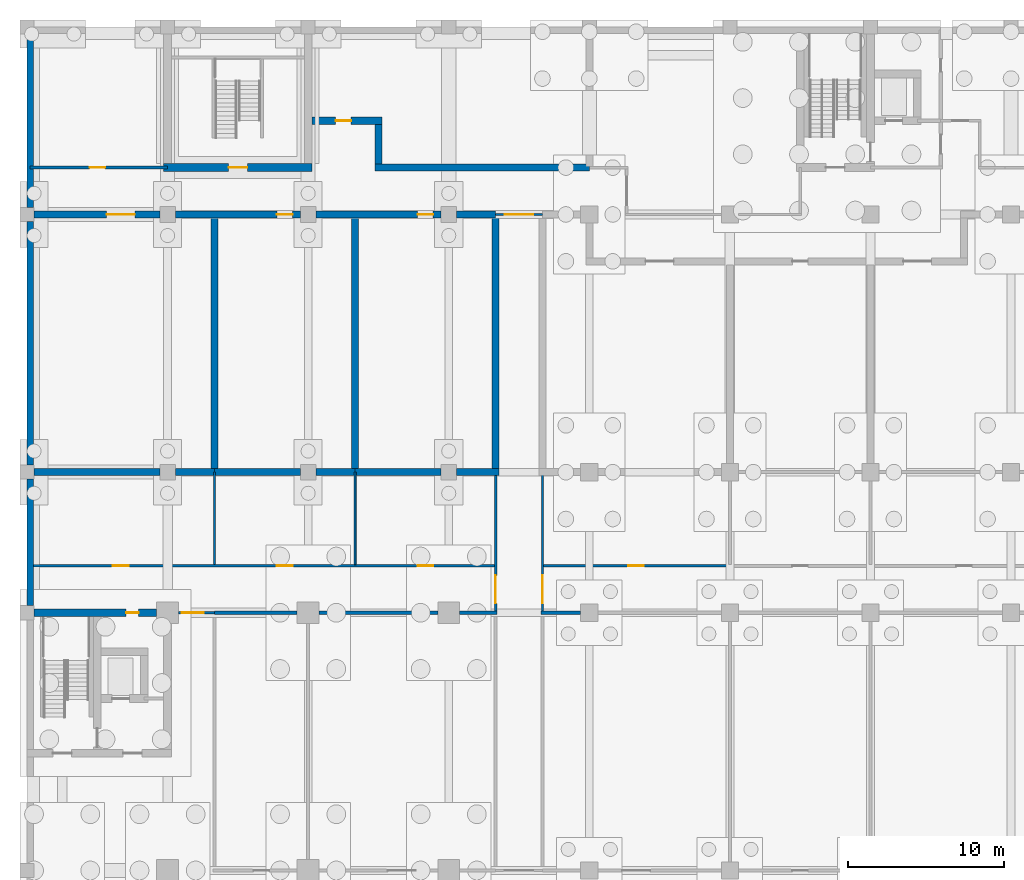
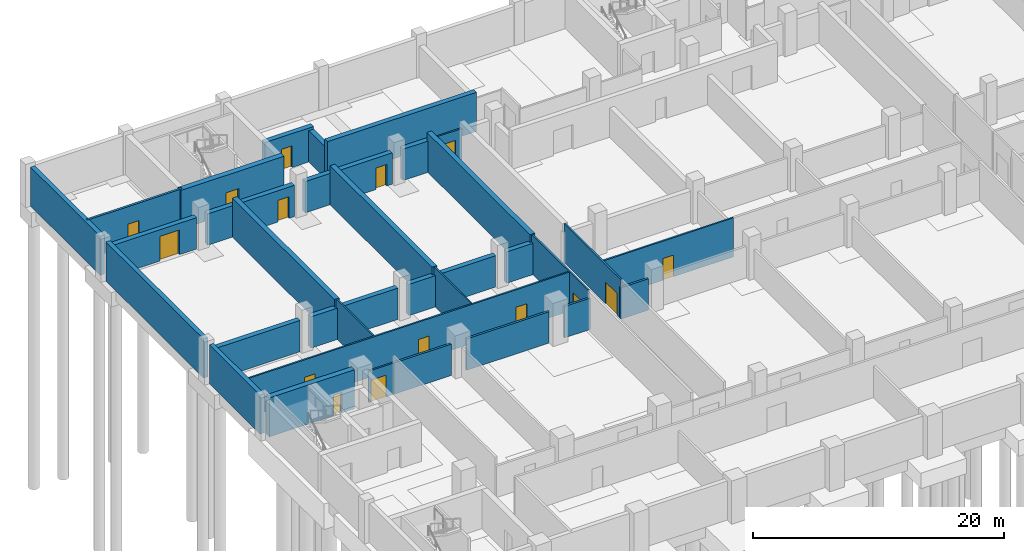
# One storey, part 6 of 15: 34 walls, 15 doors, 15 openings.
"""IFC4 building model written with IfcOpenShell, lengths in metres."""

from ifc_helpers import new_model, si_unit, direction, frame, frame_2d, origin, place, context, subcontext, project, spatial, rectangle, extrude, material, layer, layer_set, type_object, element, fill, save


model = new_model("IFC4")

# Units and contexts
model_context = context("Model", 3, precision=1e-05, world=origin(), true_north=direction((0.0, 1.0)))
body_context = subcontext(model_context, "Body", "Model", "MODEL_VIEW")
ifc_project = project(units=[si_unit("LENGTHUNIT", "METRE"), si_unit("AREAUNIT", "SQUARE_METRE"), si_unit("VOLUMEUNIT", "CUBIC_METRE"), si_unit("PLANEANGLEUNIT", "RADIAN"), si_unit("MASSUNIT", "GRAM", prefix="KILO")], contexts=[model_context])

# Site, building, storey
site_placement = place(None, origin())
site = spatial("IfcSite", under=ifc_project, at=site_placement, CompositionType="ELEMENT")
building_placement = place(site_placement, origin())
building = spatial("IfcBuilding", under=site, at=building_placement, Name="Aurelan Courthouse", CompositionType="ELEMENT")
storey_placement = place(building_placement, frame((0.0, 0.0, -8.39990234375)))
storey = spatial("IfcBuildingStorey", under=building, at=storey_placement, Name="B2", CompositionType="ELEMENT", Elevation=-8.39990234375)

# Walls
ifc_material_1 = material(Name="Reinforced concrete block", Category="concrete")
ifc_layer_1 = layer(ifc_material_1, 0.449951171875)
ifc_layer_set_1 = layer_set([ifc_layer_1], Name="Reinforced concrete block")
wall_type_1 = type_object("IfcWallType", Name="Archive fire wall 450 EI 60", PredefinedType="PARTITIONING", material=ifc_layer_set_1)
wall_1_placement = place(storey_placement, frame((0.449951171875, 37.5, 0.0), z_axis=(0.0, 0.0, 1.0), x_axis=(1.0, 0.0, 0.0)))
element("IfcWall", 1, at=wall_1_placement, inside=storey, type_object=wall_type_1, Name="Archive fire wall B2-033", PredefinedType="PARTITIONING", context=body_context, shape_type="SweptSolid", body=[
    extrude(rectangle(XDim=8.050048828125, YDim=0.449951171875, at=frame_2d((4.02490234375, 0.0))), origin(), (0.0, 0.0, 1.0), 3.0498046875),
])
wall_2_placement = place(storey_placement, frame((9.5, 37.5, 0.0), z_axis=(0.0, 0.0, 1.0), x_axis=(1.0, 0.0, 0.0)))
element("IfcWall", 2, at=wall_2_placement, inside=storey, type_object=wall_type_1, Name="Archive fire wall B2-034", PredefinedType="PARTITIONING", context=body_context, shape_type="SweptSolid", body=[
    extrude(rectangle(XDim=2.5, YDim=0.449951171875, at=frame_2d((1.25, 0.0))), origin(), (0.0, 0.0, 1.0), 3.0498046875),
])
wall_3_placement = place(storey_placement, frame((12.0, 37.5, 0.0), z_axis=(0.0, 0.0, 1.0), x_axis=(1.0, 0.0, 0.0)))
element("IfcWall", 3, at=wall_3_placement, inside=storey, type_object=wall_type_1, Name="Archive fire wall B2-035", PredefinedType="PARTITIONING", context=body_context, shape_type="SweptSolid", body=[
    extrude(rectangle(XDim=5.5, YDim=0.449951171875, at=frame_2d((2.75, 0.0))), origin(), (0.0, 0.0, 1.0), 3.0498046875),
])
wall_4_placement = place(storey_placement, frame((18.5, 37.5, 0.0), z_axis=(0.0, 0.0, 1.0), x_axis=(1.0, 0.0, 0.0)))
element("IfcWall", 4, at=wall_4_placement, inside=storey, type_object=wall_type_1, Name="Archive fire wall B2-036", PredefinedType="PARTITIONING", context=body_context, shape_type="SweptSolid", body=[
    extrude(rectangle(XDim=2.5, YDim=0.449951171875, at=frame_2d((1.25, 0.0))), origin(), (0.0, 0.0, 1.0), 3.0498046875),
])
wall_5_placement = place(storey_placement, frame((21.0, 37.5, 0.0), z_axis=(0.0, 0.0, 1.0), x_axis=(1.0, 0.0, 0.0)))
element("IfcWall", 5, at=wall_5_placement, inside=storey, type_object=wall_type_1, Name="Archive fire wall B2-037", PredefinedType="PARTITIONING", context=body_context, shape_type="SweptSolid", body=[
    extrude(rectangle(XDim=5.5, YDim=0.449951171875, at=frame_2d((2.75, 0.0))), origin(), (0.0, 0.0, 1.0), 3.0498046875),
])
wall_6_placement = place(storey_placement, frame((27.5, 37.5, 0.0), z_axis=(0.0, 0.0, 1.0), x_axis=(1.0, 0.0, 0.0)))
element("IfcWall", 6, at=wall_6_placement, inside=storey, type_object=wall_type_1, Name="Archive fire wall B2-038", PredefinedType="PARTITIONING", context=body_context, shape_type="SweptSolid", body=[
    extrude(rectangle(XDim=2.72509765625, YDim=0.449951171875, at=frame_2d((1.362548828125, 0.0))), origin(), (0.0, 0.0, 1.0), 3.0498046875),
])

# Wall, opening, door
wall_7_placement = place(storey_placement, frame((0.449951171875, 54.0, 0.0), z_axis=(0.0, 0.0, 1.0), x_axis=(1.0, 0.0, 0.0)))
wall_7 = element("IfcWall", 7, at=wall_7_placement, inside=storey, type_object=wall_type_1, Name="Archive fire wall B2-047", PredefinedType="PARTITIONING", context=body_context, shape_type="SweptSolid", body=[
    extrude(rectangle(XDim=8.050048828125, YDim=0.449951171875, at=frame_2d((4.02490234375, 0.0))), origin(), (0.0, 0.0, 1.0), 3.0498046875),
])
opening_1_placement = place(wall_7_placement, frame((6.449951171875, 0.0, 0.0), z_axis=(0.0, 0.0, 1.0), x_axis=(-1.0, 0.0, 0.0)))
opening_1 = element("IfcOpeningElement", 8, at=opening_1_placement, cuts=wall_7, Name="Opening D-B2-034", PredefinedType="OPENING", context=body_context, shape_type="SweptSolid", body=[
    extrude(rectangle(XDim=1.800048828125, YDim=2.39990234375, at=frame_2d((0.89990234375, 1.199951171875))), frame((0.0, 0.23486328125, 0.0), z_axis=(0.0, -1.0, 0.0), x_axis=(1.0, 0.0, 0.0)), (0.0, 0.0, 1.0), 0.469970703125),
])
ifc_material_2 = material(Name="Steel", Category="steel")
door_type_1 = type_object("IfcDoorType", Name="Double door 1800 x 2400 FD60", OperationType="DOUBLE_DOOR_SINGLE_SWING", PredefinedType="DOOR", material=ifc_material_2)
door_1_placement = place(opening_1_placement, origin())
door_1 = element("IfcDoor", 9, at=door_1_placement, inside=storey, type_object=door_type_1, Name="Double door D-B2-034", OperationType="DOUBLE_DOOR_SINGLE_SWING", OverallHeight=2.39990234375, OverallWidth=1.800048828125, PredefinedType="DOOR", context=body_context, shape_type="SweptSolid", body=[
    extrude(rectangle(XDim=1.800048828125, YDim=2.39990234375, at=frame_2d((0.89990234375, 1.199951171875))), frame((0.0, 0.02490234375, 0.0), z_axis=(0.0, -1.0, 0.0), x_axis=(1.0, 0.0, 0.0)), (0.0, 0.0, 1.0), 0.050048828125),
])
fill(opening_1, door_1)

wall_8_placement = place(storey_placement, frame((9.5, 54.0, 0.0), z_axis=(0.0, 0.0, 1.0), x_axis=(1.0, 0.0, 0.0)))
wall_8 = element("IfcWall", 10, at=wall_8_placement, inside=storey, type_object=wall_type_1, Name="Archive fire wall B2-048", PredefinedType="PARTITIONING", context=body_context, shape_type="SweptSolid", body=[
    extrude(rectangle(XDim=8.0, YDim=0.449951171875, at=frame_2d((4.0, 0.0))), origin(), (0.0, 0.0, 1.0), 3.0498046875),
])
opening_2_placement = place(wall_8_placement, frame((7.5, 0.0, 0.0), z_axis=(0.0, 0.0, 1.0), x_axis=(-1.0, 0.0, 0.0)))
opening_2 = element("IfcOpeningElement", 11, at=opening_2_placement, cuts=wall_8, Name="Opening D-B2-035", PredefinedType="OPENING", context=body_context, shape_type="SweptSolid", body=[
    extrude(rectangle(XDim=1.0, YDim=2.10009765625, at=frame_2d((0.5, 1.050048828125))), frame((0.0, 0.23486328125, 0.0), z_axis=(0.0, -1.0, 0.0), x_axis=(1.0, 0.0, 0.0)), (0.0, 0.0, 1.0), 0.469970703125),
])
door_type_2 = type_object("IfcDoorType", Name="Single door 1000 x 2100 FD60", OperationType="SINGLE_SWING_LEFT", PredefinedType="DOOR", material=ifc_material_2)
door_2_placement = place(opening_2_placement, origin())
door_2 = element("IfcDoor", 12, at=door_2_placement, inside=storey, type_object=door_type_2, Name="Single door D-B2-035", OperationType="SINGLE_SWING_LEFT", OverallHeight=2.10009765625, OverallWidth=1.0, PredefinedType="DOOR", context=body_context, shape_type="SweptSolid", body=[
    extrude(rectangle(XDim=1.0, YDim=2.10009765625, at=frame_2d((0.5, 1.050048828125))), frame((0.0, 0.02490234375, 0.0), z_axis=(0.0, -1.0, 0.0), x_axis=(1.0, 0.0, 0.0)), (0.0, 0.0, 1.0), 0.050048828125),
])
fill(opening_2, door_2)

wall_9_placement = place(storey_placement, frame((18.5, 54.0, 0.0), z_axis=(0.0, 0.0, 1.0), x_axis=(1.0, 0.0, 0.0)))
wall_9 = element("IfcWall", 13, at=wall_9_placement, inside=storey, type_object=wall_type_1, Name="Archive fire wall B2-049", PredefinedType="PARTITIONING", context=body_context, shape_type="SweptSolid", body=[
    extrude(rectangle(XDim=8.0, YDim=0.449951171875, at=frame_2d((4.0, 0.0))), origin(), (0.0, 0.0, 1.0), 3.0498046875),
])
opening_3_placement = place(wall_9_placement, frame((7.5, 0.0, 0.0), z_axis=(0.0, 0.0, 1.0), x_axis=(-1.0, 0.0, 0.0)))
opening_3 = element("IfcOpeningElement", 14, at=opening_3_placement, cuts=wall_9, Name="Opening D-B2-036", PredefinedType="OPENING", context=body_context, shape_type="SweptSolid", body=[
    extrude(rectangle(XDim=1.0, YDim=2.10009765625, at=frame_2d((0.5, 1.050048828125))), frame((0.0, 0.23486328125, 0.0), z_axis=(0.0, -1.0, 0.0), x_axis=(1.0, 0.0, 0.0)), (0.0, 0.0, 1.0), 0.469970703125),
])
door_3_placement = place(opening_3_placement, origin())
door_3 = element("IfcDoor", 15, at=door_3_placement, inside=storey, type_object=door_type_2, Name="Single door D-B2-036", OperationType="SINGLE_SWING_RIGHT", OverallHeight=2.10009765625, OverallWidth=1.0, PredefinedType="DOOR", context=body_context, shape_type="SweptSolid", body=[
    extrude(rectangle(XDim=1.0, YDim=2.10009765625, at=frame_2d((0.5, 1.050048828125))), frame((0.0, 0.02490234375, 0.0), z_axis=(0.0, -1.0, 0.0), x_axis=(1.0, 0.0, 0.0)), (0.0, 0.0, 1.0), 0.050048828125),
])
fill(opening_3, door_3)

# Walls
wall_10_placement = place(storey_placement, frame((27.5, 54.0, 0.0), z_axis=(0.0, 0.0, 1.0), x_axis=(1.0, 0.0, 0.0)))
element("IfcWall", 16, at=wall_10_placement, inside=storey, type_object=wall_type_1, Name="Archive fire wall B2-050", PredefinedType="PARTITIONING", context=body_context, shape_type="SweptSolid", body=[
    extrude(rectangle(XDim=2.5, YDim=0.449951171875, at=frame_2d((1.25, 0.0))), origin(), (0.0, 0.0, 1.0), 3.0498046875),
])
wall_11_placement = place(storey_placement, frame((22.27490234375, 57.0, 0.0), z_axis=(0.0, 0.0, 1.0), x_axis=(1.0, 0.0, 0.0)))
element("IfcWall", 17, at=wall_11_placement, inside=storey, type_object=wall_type_1, Name="Archive fire wall B2-062", PredefinedType="PARTITIONING", context=body_context, shape_type="SweptSolid", body=[
    extrude(rectangle(XDim=13.72509765625, YDim=0.449951171875, at=frame_2d((6.862548828125, 0.0))), origin(), (0.0, 0.0, 1.0), 3.7998046875),
])

# Wall, opening, door
wall_12_placement = place(storey_placement, frame((18.25, 60.0, 0.0), z_axis=(0.0, 0.0, 1.0), x_axis=(1.0, 0.0, 0.0)))
wall_12 = element("IfcWall", 18, at=wall_12_placement, inside=storey, type_object=wall_type_1, Name="Archive fire wall B2-068", PredefinedType="PARTITIONING", context=body_context, shape_type="SweptSolid", body=[
    extrude(rectangle(XDim=4.47509765625, YDim=0.449951171875, at=frame_2d((2.237548828125, 0.0))), origin(), (0.0, 0.0, 1.0), 3.2998046875),
])
opening_4_placement = place(wall_12_placement, frame((1.5, 0.0, 0.0)))
opening_4 = element("IfcOpeningElement", 19, at=opening_4_placement, cuts=wall_12, Name="Opening D-B2-024", PredefinedType="OPENING", context=body_context, shape_type="SweptSolid", body=[
    extrude(rectangle(XDim=1.0, YDim=2.10009765625, at=frame_2d((0.5, 1.050048828125))), frame((0.0, 0.23486328125, 0.0), z_axis=(0.0, -1.0, 0.0), x_axis=(1.0, 0.0, 0.0)), (0.0, 0.0, 1.0), 0.469970703125),
])
door_4_placement = place(opening_4_placement, origin())
door_4 = element("IfcDoor", 20, at=door_4_placement, inside=storey, type_object=door_type_2, Name="Single door D-B2-024", OperationType="SINGLE_SWING_LEFT", OverallHeight=2.10009765625, OverallWidth=1.0, PredefinedType="DOOR", context=body_context, shape_type="SweptSolid", body=[
    extrude(rectangle(XDim=1.0, YDim=2.10009765625, at=frame_2d((0.5, 1.050048828125))), frame((0.0, 0.02490234375, 0.0), z_axis=(0.0, -1.0, 0.0), x_axis=(1.0, 0.0, 0.0)), (0.0, 0.0, 1.0), 0.050048828125),
])
fill(opening_4, door_4)

# Walls
for number, where, z_axis, x_axis, name in (
    (21, (12.0, 37.5, 0.0), (0.0, 0.0, 1.0), (0.0, 1.0, 0.0), "Archive fire wall B2-074"),
    (22, (21.0, 37.5, 0.0), (0.0, 0.0, 1.0), (0.0, 1.0, 0.0), "Archive fire wall B2-077"),
):
    element("IfcWall", number, at=place(storey_placement, frame(where, z_axis=z_axis, x_axis=x_axis)), inside=storey, type_object=wall_type_1, Name=name, PredefinedType="PARTITIONING", context=body_context, shape_type="SweptSolid", body=[
        extrude(rectangle(XDim=16.27490234375, YDim=0.449951171875, at=frame_2d((8.137451171875, 0.0))), origin(), (0.0, 0.0, 1.0), 3.7998046875),
    ])
wall_13_placement = place(storey_placement, frame((22.5, 57.22509765625, 0.0), z_axis=(0.0, 0.0, 1.0), x_axis=(0.0, 1.0, 0.0)))
element("IfcWall", 23, at=wall_13_placement, inside=storey, type_object=wall_type_1, Name="Archive fire wall B2-078", PredefinedType="PARTITIONING", context=body_context, shape_type="SweptSolid", body=[
    extrude(rectangle(XDim=2.5498046875, YDim=0.449951171875, at=frame_2d((1.27490234375, 0.0))), origin(), (0.0, 0.0, 1.0), 3.0498046875),
])
wall_14_placement = place(storey_placement, frame((30.0, 37.5, 0.0), z_axis=(0.0, 0.0, 1.0), x_axis=(0.0, 1.0, 0.0)))
element("IfcWall", 24, at=wall_14_placement, inside=storey, type_object=wall_type_1, Name="Archive fire wall B2-082", PredefinedType="PARTITIONING", context=body_context, shape_type="SweptSolid", body=[
    extrude(rectangle(XDim=16.425048828125, YDim=0.449951171875, at=frame_2d((8.21240234375, 0.0))), origin(), (0.0, 0.0, 1.0), 3.7998046875),
])

# Wall, opening, door
ifc_material_3 = material(Name="Gypsum board on metal studs")
ifc_layer_2 = layer(ifc_material_3, 0.14990234375)
ifc_layer_set_2 = layer_set([ifc_layer_2], Name="Gypsum board on metal studs")
wall_type_2 = type_object("IfcWallType", Name="Corridor partition 150 EI 60", PredefinedType="PARTITIONING", material=ifc_layer_set_2)
wall_15_placement = place(storey_placement, frame((9.699951171875, 28.5, 0.0), z_axis=(0.0, 0.0, 1.0), x_axis=(1.0, 0.0, 0.0)))
wall_15 = element("IfcWall", 25, at=wall_15_placement, inside=storey, type_object=wall_type_2, Name="Corridor partition B2-016", PredefinedType="PARTITIONING", context=body_context, shape_type="SweptSolid", body=[
    extrude(rectangle(XDim=2.300048828125, YDim=0.14990234375, at=frame_2d((1.14990234375, 0.0))), origin(), (0.0, 0.0, 1.0), 3.0498046875),
])
opening_5_placement = place(wall_15_placement, frame((0.199951171875, 0.0, 0.0)))
opening_5 = element("IfcOpeningElement", 26, at=opening_5_placement, cuts=wall_15, Name="Opening D-B2-001", PredefinedType="OPENING", context=body_context, shape_type="SweptSolid", body=[
    extrude(rectangle(XDim=1.39990234375, YDim=2.10009765625, at=frame_2d((0.699951171875, 1.050048828125))), frame((0.0, 0.0849609375, 0.0), z_axis=(0.0, -1.0, 0.0), x_axis=(1.0, 0.0, 0.0)), (0.0, 0.0, 1.0), 0.169921875),
])
door_type_3 = type_object("IfcDoorType", Name="Double door 1400 x 2100 FD60", OperationType="DOUBLE_DOOR_SINGLE_SWING", PredefinedType="DOOR", material=ifc_material_2)
door_5_placement = place(opening_5_placement, origin())
door_5 = element("IfcDoor", 27, at=door_5_placement, inside=storey, type_object=door_type_3, Name="Double door D-B2-001", OperationType="DOUBLE_DOOR_SINGLE_SWING", OverallHeight=2.10009765625, OverallWidth=1.39990234375, PredefinedType="DOOR", context=body_context, shape_type="SweptSolid", body=[
    extrude(rectangle(XDim=1.39990234375, YDim=2.10009765625, at=frame_2d((0.699951171875, 1.050048828125))), frame((0.0, 0.02490234375, 0.0), z_axis=(0.0, -1.0, 0.0), x_axis=(1.0, 0.0, 0.0)), (0.0, 0.0, 1.0), 0.050048828125),
])
fill(opening_5, door_5)

# Wall, openings, doors
wall_16_placement = place(storey_placement, frame((0.199951171875, 31.5, 0.0), z_axis=(0.0, 0.0, 1.0), x_axis=(1.0, 0.0, 0.0)))
wall_16 = element("IfcWall", 28, at=wall_16_placement, inside=storey, type_object=wall_type_2, Name="Corridor partition B2-028", PredefinedType="PARTITIONING", context=body_context, shape_type="SweptSolid", body=[
    extrude(rectangle(XDim=29.72509765625, YDim=0.14990234375, at=frame_2d((14.862548828125, 0.0))), origin(), (0.0, 0.0, 1.0), 3.7998046875),
])
opening_6_placement = place(wall_16_placement, frame((5.300048828125, 0.0, 0.0)))
opening_6 = element("IfcOpeningElement", 29, at=opening_6_placement, cuts=wall_16, Name="Opening D-B2-021", PredefinedType="OPENING", context=body_context, shape_type="SweptSolid", body=[
    extrude(rectangle(XDim=1.0, YDim=2.10009765625, at=frame_2d((0.5, 1.050048828125))), frame((0.0, 0.0849609375, 0.0), z_axis=(0.0, -1.0, 0.0), x_axis=(1.0, 0.0, 0.0)), (0.0, 0.0, 1.0), 0.169921875),
])
opening_7_placement = place(wall_16_placement, frame((15.800048828125, 0.0, 0.0)))
opening_7 = element("IfcOpeningElement", 30, at=opening_7_placement, cuts=wall_16, Name="Opening D-B2-022", PredefinedType="OPENING", context=body_context, shape_type="SweptSolid", body=[
    extrude(rectangle(XDim=1.0, YDim=2.10009765625, at=frame_2d((0.5, 1.050048828125))), frame((0.0, 0.0849609375, 0.0), z_axis=(0.0, -1.0, 0.0), x_axis=(1.0, 0.0, 0.0)), (0.0, 0.0, 1.0), 0.169921875),
])
opening_8_placement = place(wall_16_placement, frame((24.800048828125, 0.0, 0.0)))
opening_8 = element("IfcOpeningElement", 31, at=opening_8_placement, cuts=wall_16, Name="Opening D-B2-023", PredefinedType="OPENING", context=body_context, shape_type="SweptSolid", body=[
    extrude(rectangle(XDim=1.0, YDim=2.10009765625, at=frame_2d((0.5, 1.050048828125))), frame((0.0, 0.0849609375, 0.0), z_axis=(0.0, -1.0, 0.0), x_axis=(1.0, 0.0, 0.0)), (0.0, 0.0, 1.0), 0.169921875),
])
door_6_placement = place(opening_6_placement, origin())
door_6 = element("IfcDoor", 32, at=door_6_placement, inside=storey, type_object=door_type_2, Name="Single door D-B2-021", OperationType="SINGLE_SWING_LEFT", OverallHeight=2.10009765625, OverallWidth=1.0, PredefinedType="DOOR", context=body_context, shape_type="SweptSolid", body=[
    extrude(rectangle(XDim=1.0, YDim=2.10009765625, at=frame_2d((0.5, 1.050048828125))), frame((0.0, 0.02490234375, 0.0), z_axis=(0.0, -1.0, 0.0), x_axis=(1.0, 0.0, 0.0)), (0.0, 0.0, 1.0), 0.050048828125),
])
fill(opening_6, door_6)
door_7_placement = place(opening_7_placement, origin())
door_7 = element("IfcDoor", 33, at=door_7_placement, inside=storey, type_object=door_type_2, Name="Single door D-B2-022", OperationType="SINGLE_SWING_LEFT", OverallHeight=2.10009765625, OverallWidth=1.0, PredefinedType="DOOR", context=body_context, shape_type="SweptSolid", body=[
    extrude(rectangle(XDim=1.0, YDim=2.10009765625, at=frame_2d((0.5, 1.050048828125))), frame((0.0, 0.02490234375, 0.0), z_axis=(0.0, -1.0, 0.0), x_axis=(1.0, 0.0, 0.0)), (0.0, 0.0, 1.0), 0.050048828125),
])
fill(opening_7, door_7)
door_8_placement = place(opening_8_placement, origin())
door_8 = element("IfcDoor", 34, at=door_8_placement, inside=storey, type_object=door_type_2, Name="Single door D-B2-023", OperationType="SINGLE_SWING_RIGHT", OverallHeight=2.10009765625, OverallWidth=1.0, PredefinedType="DOOR", context=body_context, shape_type="SweptSolid", body=[
    extrude(rectangle(XDim=1.0, YDim=2.10009765625, at=frame_2d((0.5, 1.050048828125))), frame((0.0, 0.02490234375, 0.0), z_axis=(0.0, -1.0, 0.0), x_axis=(1.0, 0.0, 0.0)), (0.0, 0.0, 1.0), 0.050048828125),
])
fill(opening_8, door_8)

# Wall, opening, door
wall_17_placement = place(storey_placement, frame((33.074951171875, 31.5, 0.0), z_axis=(0.0, 0.0, 1.0), x_axis=(1.0, 0.0, 0.0)))
wall_17 = element("IfcWall", 35, at=wall_17_placement, inside=storey, type_object=wall_type_2, Name="Corridor partition B2-029", PredefinedType="PARTITIONING", context=body_context, shape_type="SweptSolid", body=[
    extrude(rectangle(XDim=11.925048828125, YDim=0.14990234375, at=frame_2d((5.96240234375, 0.0))), origin(), (0.0, 0.0, 1.0), 3.7998046875),
])
opening_9_placement = place(wall_17_placement, frame((5.425048828125, 0.0, 0.0)))
opening_9 = element("IfcOpeningElement", 36, at=opening_9_placement, cuts=wall_17, Name="Opening D-B2-018", PredefinedType="OPENING", context=body_context, shape_type="SweptSolid", body=[
    extrude(rectangle(XDim=1.0, YDim=2.10009765625, at=frame_2d((0.5, 1.050048828125))), frame((0.0, 0.0849609375, 0.0), z_axis=(0.0, -1.0, 0.0), x_axis=(1.0, 0.0, 0.0)), (0.0, 0.0, 1.0), 0.169921875),
])
door_9_placement = place(opening_9_placement, origin())
door_9 = element("IfcDoor", 37, at=door_9_placement, inside=storey, type_object=door_type_2, Name="Single door D-B2-018", OperationType="SINGLE_SWING_LEFT", OverallHeight=2.10009765625, OverallWidth=1.0, PredefinedType="DOOR", context=body_context, shape_type="SweptSolid", body=[
    extrude(rectangle(XDim=1.0, YDim=2.10009765625, at=frame_2d((0.5, 1.050048828125))), frame((0.0, 0.02490234375, 0.0), z_axis=(0.0, -1.0, 0.0), x_axis=(1.0, 0.0, 0.0)), (0.0, 0.0, 1.0), 0.050048828125),
])
fill(opening_9, door_9)

wall_18_placement = place(storey_placement, frame((30.0, 54.0, 0.0), z_axis=(0.0, 0.0, 1.0), x_axis=(1.0, 0.0, 0.0)))
wall_18 = element("IfcWall", 38, at=wall_18_placement, inside=storey, type_object=wall_type_2, Name="Corridor partition B2-051", PredefinedType="PARTITIONING", context=body_context, shape_type="SweptSolid", body=[
    extrude(rectangle(XDim=3.0, YDim=0.14990234375, at=frame_2d((1.5, 0.0))), origin(), (0.0, 0.0, 1.0), 3.0498046875),
])
opening_10_placement = place(wall_18_placement, frame((2.400146484375, 0.0, 0.0), z_axis=(0.0, 0.0, 1.0), x_axis=(-1.0, 0.0, 0.0)))
opening_10 = element("IfcOpeningElement", 39, at=opening_10_placement, cuts=wall_18, Name="Opening D-B2-004", PredefinedType="OPENING", context=body_context, shape_type="SweptSolid", body=[
    extrude(rectangle(XDim=1.800048828125, YDim=2.10009765625, at=frame_2d((0.89990234375, 1.050048828125))), frame((0.0, 0.0849609375, 0.0), z_axis=(0.0, -1.0, 0.0), x_axis=(1.0, 0.0, 0.0)), (0.0, 0.0, 1.0), 0.169921875),
])
door_type_4 = type_object("IfcDoorType", Name="Double door 1800 x 2100 FD60", OperationType="DOUBLE_DOOR_SINGLE_SWING", PredefinedType="DOOR", material=ifc_material_2)
door_10_placement = place(opening_10_placement, origin())
door_10 = element("IfcDoor", 40, at=door_10_placement, inside=storey, type_object=door_type_4, Name="Double door D-B2-004", OperationType="DOUBLE_DOOR_SINGLE_SWING", OverallHeight=2.10009765625, OverallWidth=1.800048828125, PredefinedType="DOOR", context=body_context, shape_type="SweptSolid", body=[
    extrude(rectangle(XDim=1.800048828125, YDim=2.10009765625, at=frame_2d((0.89990234375, 1.050048828125))), frame((0.0, 0.02490234375, 0.0), z_axis=(0.0, -1.0, 0.0), x_axis=(1.0, 0.0, 0.0)), (0.0, 0.0, 1.0), 0.050048828125),
])
fill(opening_10, door_10)

wall_19_placement = place(storey_placement, frame((30.0, 28.5, 0.0), z_axis=(0.0, 0.0, 1.0), x_axis=(0.0, 1.0, 0.0)))
wall_19 = element("IfcWall", 41, at=wall_19_placement, inside=storey, type_object=wall_type_2, Name="Corridor partition B2-081", PredefinedType="PARTITIONING", context=body_context, shape_type="SweptSolid", body=[
    extrude(rectangle(XDim=9.0, YDim=0.14990234375, at=frame_2d((4.5, 0.0))), origin(), (0.0, 0.0, 1.0), 3.7998046875),
])
opening_11_placement = place(wall_19_placement, frame((2.400146484375, 0.0, 0.0), z_axis=(0.0, 0.0, 1.0), x_axis=(-1.0, 0.0, 0.0)))
opening_11 = element("IfcOpeningElement", 42, at=opening_11_placement, cuts=wall_19, Name="Opening D-B2-006", PredefinedType="OPENING", context=body_context, shape_type="SweptSolid", body=[
    extrude(rectangle(XDim=1.800048828125, YDim=2.10009765625, at=frame_2d((0.89990234375, 1.050048828125))), frame((0.0, 0.0849609375, 0.0), z_axis=(0.0, -1.0, 0.0), x_axis=(1.0, 0.0, 0.0)), (0.0, 0.0, 1.0), 0.169921875),
])
door_11_placement = place(opening_11_placement, origin())
door_11 = element("IfcDoor", 43, at=door_11_placement, inside=storey, type_object=door_type_4, Name="Double door D-B2-006", OperationType="DOUBLE_DOOR_SINGLE_SWING", OverallHeight=2.10009765625, OverallWidth=1.800048828125, PredefinedType="DOOR", context=body_context, shape_type="SweptSolid", body=[
    extrude(rectangle(XDim=1.800048828125, YDim=2.10009765625, at=frame_2d((0.89990234375, 1.050048828125))), frame((0.0, 0.02490234375, 0.0), z_axis=(0.0, -1.0, 0.0), x_axis=(1.0, 0.0, 0.0)), (0.0, 0.0, 1.0), 0.050048828125),
])
fill(opening_11, door_11)

wall_20_placement = place(storey_placement, frame((33.0, 28.5, 0.0), z_axis=(0.0, 0.0, 1.0), x_axis=(0.0, 1.0, 0.0)))
wall_20 = element("IfcWall", 44, at=wall_20_placement, inside=storey, type_object=wall_type_2, Name="Corridor partition B2-084", PredefinedType="PARTITIONING", context=body_context, shape_type="SweptSolid", body=[
    extrude(rectangle(XDim=9.0, YDim=0.14990234375, at=frame_2d((4.5, 0.0))), origin(), (0.0, 0.0, 1.0), 3.7998046875),
])
opening_12_placement = place(wall_20_placement, frame((0.60009765625, 0.0, 0.0)))
opening_12 = element("IfcOpeningElement", 45, at=opening_12_placement, cuts=wall_20, Name="Opening D-B2-007", PredefinedType="OPENING", context=body_context, shape_type="SweptSolid", body=[
    extrude(rectangle(XDim=1.800048828125, YDim=2.10009765625, at=frame_2d((0.89990234375, 1.050048828125))), frame((0.0, 0.0849609375, 0.0), z_axis=(0.0, -1.0, 0.0), x_axis=(1.0, 0.0, 0.0)), (0.0, 0.0, 1.0), 0.169921875),
])
door_12_placement = place(opening_12_placement, origin())
door_12 = element("IfcDoor", 46, at=door_12_placement, inside=storey, type_object=door_type_4, Name="Double door D-B2-007", OperationType="DOUBLE_DOOR_SINGLE_SWING", OverallHeight=2.10009765625, OverallWidth=1.800048828125, PredefinedType="DOOR", context=body_context, shape_type="SweptSolid", body=[
    extrude(rectangle(XDim=1.800048828125, YDim=2.10009765625, at=frame_2d((0.89990234375, 1.050048828125))), frame((0.0, 0.02490234375, 0.0), z_axis=(0.0, -1.0, 0.0), x_axis=(1.0, 0.0, 0.0)), (0.0, 0.0, 1.0), 0.050048828125),
])
fill(opening_12, door_12)

# Walls
ifc_material_4 = material(Name="Masonry block", Category="masonry")
ifc_layer_3 = layer(ifc_material_4, 0.199951171875)
ifc_layer_set_3 = layer_set([ifc_layer_3], Name="Masonry block")
wall_type_3 = type_object("IfcWallType", Name="Plant room wall 200 EI 120", PredefinedType="PARTITIONING", material=ifc_layer_set_3)
wall_21_placement = place(storey_placement, frame((12.0, 28.5, 0.0), z_axis=(0.0, 0.0, 1.0), x_axis=(1.0, 0.0, 0.0)))
element("IfcWall", 47, at=wall_21_placement, inside=storey, type_object=wall_type_3, Name="Plant room wall B2-017", PredefinedType="PARTITIONING", context=body_context, shape_type="SweptSolid", body=[
    extrude(rectangle(XDim=5.300048828125, YDim=0.199951171875, at=frame_2d((2.64990234375, 0.0))), origin(), (0.0, 0.0, 1.0), 3.0498046875),
])
wall_22_placement = place(storey_placement, frame((18.699951171875, 28.5, 0.0), z_axis=(0.0, 0.0, 1.0), x_axis=(1.0, 0.0, 0.0)))
element("IfcWall", 48, at=wall_22_placement, inside=storey, type_object=wall_type_3, Name="Plant room wall B2-018", PredefinedType="PARTITIONING", context=body_context, shape_type="SweptSolid", body=[
    extrude(rectangle(XDim=7.60009765625, YDim=0.199951171875, at=frame_2d((3.800048828125, 0.0))), origin(), (0.0, 0.0, 1.0), 3.0498046875),
])
wall_23_placement = place(storey_placement, frame((27.699951171875, 28.5, 0.0), z_axis=(0.0, 0.0, 1.0), x_axis=(1.0, 0.0, 0.0)))
element("IfcWall", 49, at=wall_23_placement, inside=storey, type_object=wall_type_3, Name="Plant room wall B2-019", PredefinedType="PARTITIONING", context=body_context, shape_type="SweptSolid", body=[
    extrude(rectangle(XDim=2.400146484375, YDim=0.199951171875, at=frame_2d((1.2001953125, 0.0))), origin(), (0.0, 0.0, 1.0), 3.0498046875),
])
wall_24_placement = place(storey_placement, frame((32.89990234375, 28.5, 0.0), z_axis=(0.0, 0.0, 1.0), x_axis=(1.0, 0.0, 0.0)))
element("IfcWall", 50, at=wall_24_placement, inside=storey, type_object=wall_type_3, Name="Plant room wall B2-020", PredefinedType="PARTITIONING", context=body_context, shape_type="SweptSolid", body=[
    extrude(rectangle(XDim=2.550048828125, YDim=0.199951171875, at=frame_2d((1.27490234375, 0.0))), origin(), (0.0, 0.0, 1.0), 3.0498046875),
])

# Wall, opening, door
wall_25_placement = place(storey_placement, frame((0.199951171875, 57.0, 0.0), z_axis=(0.0, 0.0, 1.0), x_axis=(1.0, 0.0, 0.0)))
wall_25 = element("IfcWall", 51, at=wall_25_placement, inside=storey, type_object=wall_type_3, Name="Plant room wall B2-061", PredefinedType="PARTITIONING", context=body_context, shape_type="SweptSolid", body=[
    extrude(rectangle(XDim=8.800048828125, YDim=0.199951171875, at=frame_2d((4.39990234375, 0.0))), origin(), (0.0, 0.0, 1.0), 3.7998046875),
])
opening_13_placement = place(wall_25_placement, frame((3.800048828125, 0.0, 0.0)))
opening_13 = element("IfcOpeningElement", 52, at=opening_13_placement, cuts=wall_25, Name="Opening D-B2-028", PredefinedType="OPENING", context=body_context, shape_type="SweptSolid", body=[
    extrude(rectangle(XDim=1.0, YDim=2.10009765625, at=frame_2d((0.5, 1.050048828125))), frame((0.0, 0.10986328125, 0.0), z_axis=(0.0, -1.0, 0.0), x_axis=(1.0, 0.0, 0.0)), (0.0, 0.0, 1.0), 0.219970703125),
])
door_type_5 = type_object("IfcDoorType", Name="Single door 1000 x 2100 FD90", OperationType="SINGLE_SWING_LEFT", PredefinedType="DOOR", material=ifc_material_2)
door_13_placement = place(opening_13_placement, origin())
door_13 = element("IfcDoor", 53, at=door_13_placement, inside=storey, type_object=door_type_5, Name="Single door D-B2-028", OperationType="SINGLE_SWING_LEFT", OverallHeight=2.10009765625, OverallWidth=1.0, PredefinedType="DOOR", context=body_context, shape_type="SweptSolid", body=[
    extrude(rectangle(XDim=1.0, YDim=2.10009765625, at=frame_2d((0.5, 1.050048828125))), frame((0.0, 0.02490234375, 0.0), z_axis=(0.0, -1.0, 0.0), x_axis=(1.0, 0.0, 0.0)), (0.0, 0.0, 1.0), 0.050048828125),
])
fill(opening_13, door_13)

# Walls
ifc_material_5 = material(Name="Concrete C50", Category="concrete")
ifc_layer_4 = layer(ifc_material_5, 0.39990234375)
ifc_layer_set_4 = layer_set([ifc_layer_4], Name="Concrete C50")
wall_type_4 = type_object("IfcWallType", Name="RC retaining wall 400", PredefinedType="SOLIDWALL", material=ifc_layer_set_4)
wall_26_placement = place(storey_placement, frame((0.199951171875, 28.949951171875, 0.0), z_axis=(0.0, 0.0, 1.0), x_axis=(0.0, 1.0, 0.0)))
element("IfcWall", 54, at=wall_26_placement, inside=storey, type_object=wall_type_4, Name="Retaining wall SW-B2-026", PredefinedType="SOLIDWALL", context=body_context, shape_type="SweptSolid", body=[
    extrude(rectangle(XDim=8.10009765625, YDim=0.39990234375, at=frame_2d((4.050048828125, 0.0))), origin(), (0.0, 0.0, 1.0), 3.7998046875),
])
wall_27_placement = place(storey_placement, frame((0.199951171875, 37.949951171875, 0.0), z_axis=(0.0, 0.0, 1.0), x_axis=(0.0, 1.0, 0.0)))
element("IfcWall", 55, at=wall_27_placement, inside=storey, type_object=wall_type_4, Name="Retaining wall SW-B2-029", PredefinedType="SOLIDWALL", context=body_context, shape_type="SweptSolid", body=[
    extrude(rectangle(XDim=15.60009765625, YDim=0.39990234375, at=frame_2d((7.800048828125, 0.0))), origin(), (0.0, 0.0, 1.0), 3.7998046875),
])
wall_28_placement = place(storey_placement, frame((0.199951171875, 54.449951171875, 0.0), z_axis=(0.0, 0.0, 1.0), x_axis=(0.0, 1.0, 0.0)))
element("IfcWall", 56, at=wall_28_placement, inside=storey, type_object=wall_type_4, Name="Retaining wall SW-B2-033", PredefinedType="SOLIDWALL", context=body_context, shape_type="SweptSolid", body=[
    extrude(rectangle(XDim=11.10009765625, YDim=0.39990234375, at=frame_2d((5.550048828125, 0.0))), origin(), (0.0, 0.0, 1.0), 3.7998046875),
])

# Wall, opening, door
ifc_layer_5 = layer(ifc_material_5, 0.5)
ifc_layer_set_5 = layer_set([ifc_layer_5], Name="Concrete C50")
wall_type_5 = type_object("IfcWallType", Name="RC shear wall 500", PredefinedType="SHEAR", material=ifc_layer_set_5)
wall_29_placement = place(storey_placement, frame((0.449951171875, 28.5, 0.0), z_axis=(0.0, 0.0, 1.0), x_axis=(1.0, 0.0, 0.0)))
wall_29 = element("IfcWall", 57, at=wall_29_placement, inside=storey, type_object=wall_type_5, Name="Core wall SW-B2-025", PredefinedType="SHEAR", context=body_context, shape_type="SweptSolid", body=[
    extrude(rectangle(XDim=7.85009765625, YDim=0.5, at=frame_2d((3.925048828125, 0.0))), origin(), (0.0, 0.0, 1.0), 3.7998046875),
])
opening_14_placement = place(wall_29_placement, frame((6.699951171875, 0.0, 0.0), z_axis=(0.0, 0.0, 1.0), x_axis=(-1.0, 0.0, 0.0)))
opening_14 = element("IfcOpeningElement", 58, at=opening_14_placement, cuts=wall_29, Name="Opening D-B2-048", PredefinedType="OPENING", context=body_context, shape_type="SweptSolid", body=[
    extrude(rectangle(XDim=0.800048828125, YDim=2.0, at=frame_2d((0.39990234375, 1.0))), frame((0.0, 0.260009765625, 0.0), z_axis=(0.0, -1.0, 0.0), x_axis=(1.0, 0.0, 0.0)), (0.0, 0.0, 1.0), 0.52001953125),
])
door_type_6 = type_object("IfcDoorType", Name="Single door 800 x 2000 FD90", OperationType="SINGLE_SWING_LEFT", PredefinedType="DOOR", material=ifc_material_2)
door_14_placement = place(opening_14_placement, origin())
door_14 = element("IfcDoor", 59, at=door_14_placement, inside=storey, type_object=door_type_6, Name="Single door D-B2-048", OperationType="SINGLE_SWING_RIGHT", OverallHeight=2.0, OverallWidth=0.800048828125, PredefinedType="DOOR", context=body_context, shape_type="SweptSolid", body=[
    extrude(rectangle(XDim=0.800048828125, YDim=2.0, at=frame_2d((0.39990234375, 1.0))), frame((0.0, 0.02490234375, 0.0), z_axis=(0.0, -1.0, 0.0), x_axis=(1.0, 0.0, 0.0)), (0.0, 0.0, 1.0), 0.050048828125),
])
fill(opening_14, door_14)

wall_30_placement = place(storey_placement, frame((8.75, 57.0, 0.0), z_axis=(0.0, 0.0, 1.0), x_axis=(1.0, 0.0, 0.0)))
wall_30 = element("IfcWall", 60, at=wall_30_placement, inside=storey, type_object=wall_type_5, Name="Core wall SW-B2-035", PredefinedType="SHEAR", context=body_context, shape_type="SweptSolid", body=[
    extrude(rectangle(XDim=9.5, YDim=0.5, at=frame_2d((4.75, 0.0))), origin(), (0.0, 0.0, 1.0), 3.7998046875),
])
opening_15_placement = place(wall_30_placement, frame((4.14990234375, 0.0, 0.0)))
opening_15 = element("IfcOpeningElement", 61, at=opening_15_placement, cuts=wall_30, Name="Opening D-B2-045", PredefinedType="OPENING", context=body_context, shape_type="SweptSolid", body=[
    extrude(rectangle(XDim=1.199951171875, YDim=2.10009765625, at=frame_2d((0.60009765625, 1.050048828125))), frame((0.0, 0.260009765625, 0.0), z_axis=(0.0, -1.0, 0.0), x_axis=(1.0, 0.0, 0.0)), (0.0, 0.0, 1.0), 0.52001953125),
])
door_type_7 = type_object("IfcDoorType", Name="Single door 1200 x 2100 FD90", OperationType="SINGLE_SWING_LEFT", PredefinedType="DOOR", material=ifc_material_2)
door_15_placement = place(opening_15_placement, origin())
door_15 = element("IfcDoor", 62, at=door_15_placement, inside=storey, type_object=door_type_7, Name="Single door D-B2-045", OperationType="SINGLE_SWING_RIGHT", OverallHeight=2.10009765625, OverallWidth=1.199951171875, PredefinedType="DOOR", context=body_context, shape_type="SweptSolid", body=[
    extrude(rectangle(XDim=1.199951171875, YDim=2.10009765625, at=frame_2d((0.60009765625, 1.050048828125))), frame((0.0, 0.02490234375, 0.0), z_axis=(0.0, -1.0, 0.0), x_axis=(1.0, 0.0, 0.0)), (0.0, 0.0, 1.0), 0.050048828125),
])
fill(opening_15, door_15)

# Walls
ifc_layer_6 = layer(ifc_material_4, 0.14990234375)
ifc_layer_set_6 = layer_set([ifc_layer_6], Name="Masonry block")
wall_type_6 = type_object("IfcWallType", Name="Store wall 150 EI 60", PredefinedType="PARTITIONING", material=ifc_layer_set_6)
wall_31_placement = place(storey_placement, frame((12.0, 31.574951171875, 0.0), z_axis=(0.0, 0.0, 1.0), x_axis=(0.0, 1.0, 0.0)))
element("IfcWall", 63, at=wall_31_placement, inside=storey, type_object=wall_type_6, Name="Store wall B2-073", PredefinedType="PARTITIONING", context=body_context, shape_type="SweptSolid", body=[
    extrude(rectangle(XDim=5.925048828125, YDim=0.14990234375, at=frame_2d((2.96240234375, 0.0))), origin(), (0.0, 0.0, 1.0), 3.7998046875),
])
ifc_material_6 = material(Name="Moisture-resistant board on metal studs")
ifc_layer_7 = layer(ifc_material_6, 0.125)
ifc_layer_set_7 = layer_set([ifc_layer_7], Name="Moisture-resistant board on metal studs")
wall_type_7 = type_object("IfcWallType", Name="Wet-area partition 125 NOT RATED", PredefinedType="PARTITIONING", material=ifc_layer_set_7)
wall_32_placement = place(storey_placement, frame((21.0, 31.574951171875, 0.0), z_axis=(0.0, 0.0, 1.0), x_axis=(0.0, 1.0, 0.0)))
element("IfcWall", 64, at=wall_32_placement, inside=storey, type_object=wall_type_7, Name="Wet-area partition B2-076", PredefinedType="PARTITIONING", context=body_context, shape_type="SweptSolid", body=[
    extrude(rectangle(XDim=5.925048828125, YDim=0.125, at=frame_2d((2.96240234375, 0.0))), origin(), (0.0, 0.0, 1.0), 3.7998046875),
])

save(model, "model.ifc")
